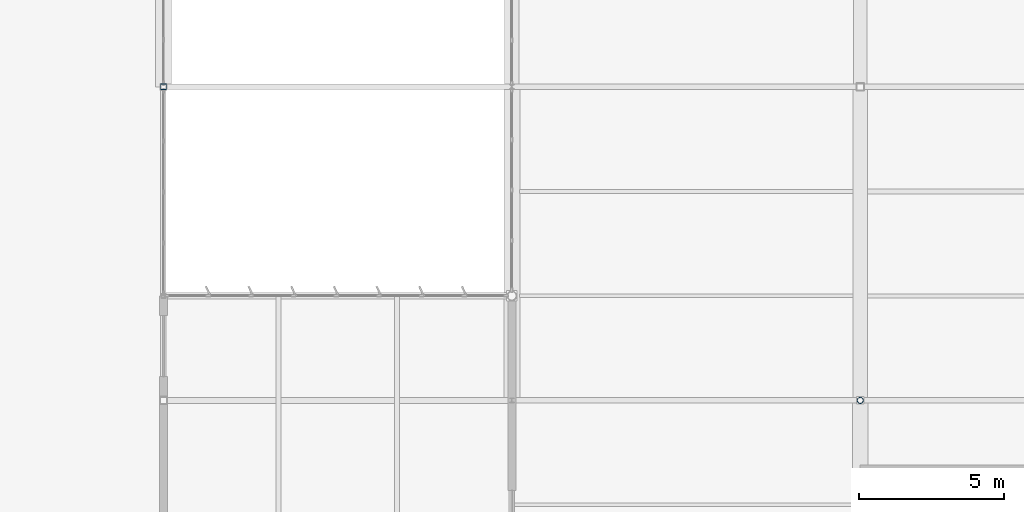
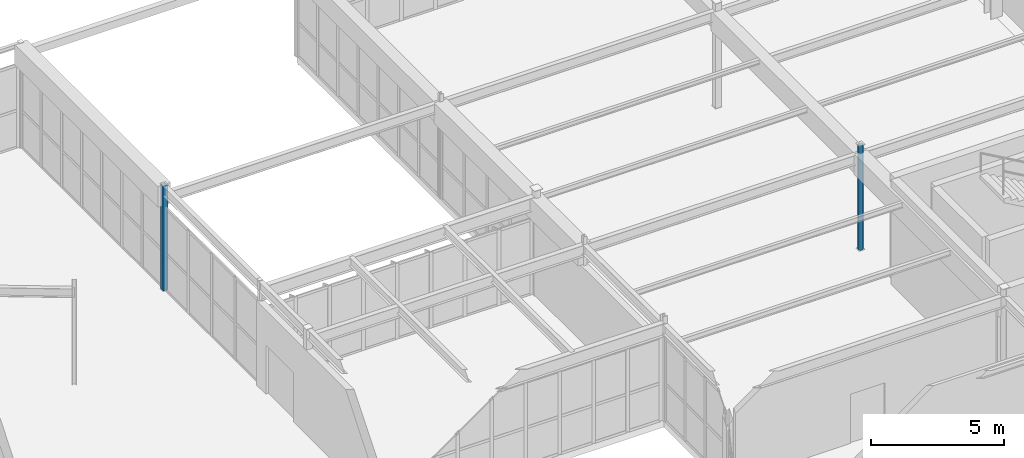
# One storey, part 49 of 186: 2 columns.
"""IFC4 building model written with IfcOpenShell, lengths in metres."""

from ifc_helpers import new_model, si_unit, direction, frame, origin, origin_2d, place, context, subcontext, project, spatial, hollow_rectangle, hollow_circle, extrude, material, material_profile, profile_set, type_object, element, save


model = new_model("IFC4")

# Units and contexts
model_context = context("Model", 3, precision=1e-05, world=origin(), true_north=direction((0.0, 1.0)))
body_context = subcontext(model_context, "Body", "Model", "MODEL_VIEW")
ifc_project = project(units=[si_unit("LENGTHUNIT", "METRE"), si_unit("AREAUNIT", "SQUARE_METRE"), si_unit("VOLUMEUNIT", "CUBIC_METRE"), si_unit("PLANEANGLEUNIT", "RADIAN"), si_unit("MASSUNIT", "GRAM", prefix="KILO")], contexts=[model_context])

# Site, building, storey
site_placement = place(None, origin())
site = spatial("IfcSite", under=ifc_project, at=site_placement, CompositionType="ELEMENT")
building_placement = place(site_placement, origin())
building = spatial("IfcBuilding", under=site, at=building_placement, Name="Tarnwether General Hospital", CompositionType="ELEMENT")
storey_placement = place(building_placement, frame((0.0, 0.0, 9.60009765625)))
storey = spatial("IfcBuildingStorey", under=building, at=storey_placement, Name="L02", CompositionType="ELEMENT", Elevation=9.60009765625)

# Columns
ifc_material_1 = material(Name="Steel Grade C350L0 (350 MPa)", Category="steel")
ifc_material_profile_1 = material_profile(ifc_material_1, hollow_circle(Radius=0.109619140625, WallThickness=0.010009765625, at=origin_2d()), Name="CHS219.1x10.0")
ifc_profile_set_1 = profile_set([ifc_material_profile_1], Name="Steel Grade C350L0 (350 MPa)")
column_type_1 = type_object("IfcColumnType", Name="COL-13", PredefinedType="COLUMN", material=ifc_profile_set_1)
column_1_placement = place(storey_placement, frame((156.0, 104.39990234375, 0.0), z_axis=(0.0, 0.0, 1.0), x_axis=(0.0, 1.0, 0.0)))
element("IfcColumn", 1, at=column_1_placement, inside=storey, type_object=column_type_1, Name="Column COLG-L02-15600_10440", PredefinedType="COLUMN", context=body_context, shape_type="SweptSolid", body=[
    extrude(hollow_circle(Radius=0.109619140625, WallThickness=0.010009765625, at=origin_2d()), origin(), (0.0, 0.0, 1.0), 4.7998046875),
])
ifc_material_2 = material(Name="Steel Grade C350L0 (350 MPa)", Category="steel")
ifc_material_profile_2 = material_profile(ifc_material_2, hollow_rectangle(XDim=0.199951171875, YDim=0.199951171875, WallThickness=0.010009765625, at=origin_2d()), Name="SHS200x200x10")
ifc_profile_set_2 = profile_set([ifc_material_profile_2], Name="Steel Grade C350L0 (350 MPa)")
column_type_2 = type_object("IfcColumnType", Name="COL-15", PredefinedType="COLUMN", material=ifc_profile_set_2)
column_2_placement = place(storey_placement, frame((132.0, 115.199951171875, 0.0), z_axis=(0.0, 0.0, 1.0), x_axis=(0.0, 1.0, 0.0)))
element("IfcColumn", 2, at=column_2_placement, inside=storey, type_object=column_type_2, Name="Column COLG-L02-13200_11520", PredefinedType="COLUMN", context=body_context, shape_type="SweptSolid", body=[
    extrude(hollow_rectangle(XDim=0.199951171875, YDim=0.199951171875, WallThickness=0.010009765625, at=origin_2d()), origin(), (0.0, 0.0, 1.0), 4.7998046875),
])

save(model, "model.ifc")
